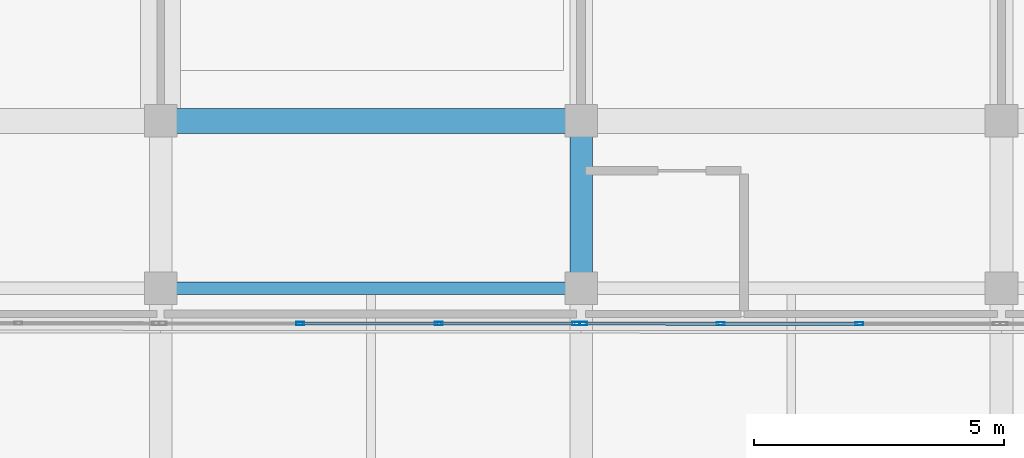
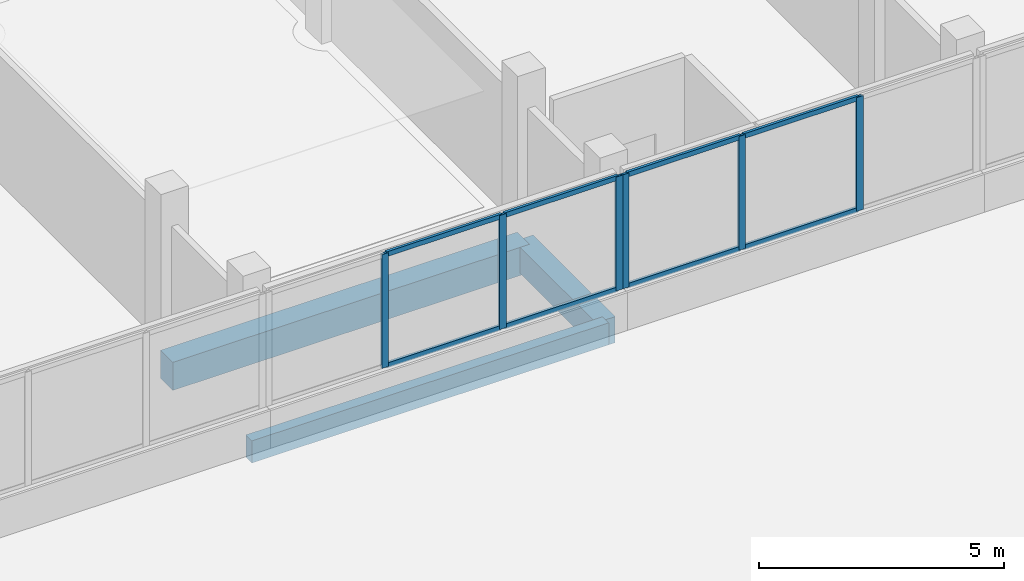
# One storey, part 20 of 78: 14 members, 3 beams, 2 elements without a shape of their own.
"""IFC4 building model written with IfcOpenShell, lengths in metres."""

import ifcopenshell
import ifcopenshell.guid

model = None  # the IFC model being written
_history = None  # IfcOwnerHistory: only IFC2X3 demands one
_inside = {}  # id of a spatial element -> (the spatial element, [elements in it])
_under = {}  # id of a project, library or spatial element -> (it, [spatial elements below it])
_declared = {}  # id of a project -> (the project, [libraries it declares])
_typed = {}  # id of a type object -> (the type object, [elements of that type])
_made_of = {}  # id of a material, layer set ... -> (it, [elements and type objects made of it])


def new_model(schema):
    """Start an empty IFC model of exactly this schema.

    Asked for "IFC4X3", IfcOpenShell would pick the latest addendum, in which some entities
    have other attributes; the version numbers below select the first issue.
    IFC2X3 requires an IfcOwnerHistory on every rooted entity: one is made here for all.
    """
    global model, _history
    if schema == "IFC4X3":
        model = ifcopenshell.file(schema_version=(4, 3, 0, 0))
    else:
        model = ifcopenshell.file(schema=schema)
    _inside.clear()
    _under.clear()
    _declared.clear()
    _typed.clear()
    _made_of.clear()
    _history = None
    if model.schema == "IFC2X3":
        org = make("IfcOrganization", Name="unknown")
        user = make(
            "IfcPersonAndOrganization",
            ThePerson=make("IfcPerson", FamilyName="unknown"),
            TheOrganization=org,
        )
        app = make(
            "IfcApplication",
            ApplicationDeveloper=org,
            Version="unknown",
            ApplicationFullName="unknown",
            ApplicationIdentifier="unknown",
        )
        _history = make(
            "IfcOwnerHistory",
            OwningUser=user,
            OwningApplication=app,
            ChangeAction="ADDED",
            CreationDate=0,
        )
    return model


def make(cls, **values):
    """One entity of the class cls with the attributes given. An attribute that is None is left unset."""
    return model.create_entity(
        cls, **{name: value for name, value in values.items() if value is not None}
    )


def rooted(cls, **values):
    """An entity with a GlobalId (a new one), such as an element, a storey or a relation."""
    return make(cls, GlobalId=ifcopenshell.guid.new(), OwnerHistory=_history, **values)


def si_unit(unit_type, name, prefix=None):
    """IfcSIUnit, for example si_unit("LENGTHUNIT", "METRE", prefix="MILLI")."""
    return make("IfcSIUnit", UnitType=unit_type, Prefix=prefix, Name=name)


def assignment(units):
    """IfcUnitAssignment: the units of a project."""
    return None if units is None else make("IfcUnitAssignment", Units=units)


def point(xyz):
    """IfcCartesianPoint."""
    return None if xyz is None else make("IfcCartesianPoint", Coordinates=xyz)


def direction(xyz):
    """IfcDirection."""
    return None if xyz is None else make("IfcDirection", DirectionRatios=xyz)


def frame(location, z_axis=None, x_axis=None):
    """IfcAxis2Placement3D, a coordinate frame: its origin and axes. An axis left out is left unset."""
    return make(
        "IfcAxis2Placement3D",
        Location=point(location),
        Axis=direction(z_axis),
        RefDirection=direction(x_axis),
    )


def frame_2d(location, x_axis=None):
    """IfcAxis2Placement2D, a coordinate frame in the plane: its origin and x axis."""
    return make(
        "IfcAxis2Placement2D", Location=point(location), RefDirection=direction(x_axis)
    )


def origin():
    """The frame at (0, 0, 0) with its axes left unset."""
    return frame((0.0, 0.0, 0.0))


def origin_2d():
    """The frame at (0, 0) in the plane with its x axis left unset."""
    return frame_2d((0.0, 0.0))


def place(relative_to, where):
    """IfcLocalPlacement: puts the frame where relative to a parent placement (None: the world)."""
    return make(
        "IfcLocalPlacement", PlacementRelTo=relative_to, RelativePlacement=where
    )


def context(
    kind, dimensions, precision=None, world=None, true_north=None, identifier=None
):
    """IfcGeometricRepresentationContext, for example the 3D "Model" context."""
    return make(
        "IfcGeometricRepresentationContext",
        ContextIdentifier=identifier,
        ContextType=kind,
        CoordinateSpaceDimension=dimensions,
        Precision=precision,
        WorldCoordinateSystem=world,
        TrueNorth=true_north,
    )


def subcontext(parent, identifier, kind, view, scale=None):
    """IfcGeometricRepresentationSubContext, for example "Body" below "Model"."""
    return make(
        "IfcGeometricRepresentationSubContext",
        ContextIdentifier=identifier,
        ContextType=kind,
        ParentContext=parent,
        TargetScale=scale,
        TargetView=view,
    )


def project(units=None, contexts=None):
    """IfcProject with its units and contexts."""
    return rooted(
        "IfcProject",
        Name="project",
        RepresentationContexts=contexts,
        UnitsInContext=assignment(units),
    )


def spatial(cls, under=None, at=None, **own):
    """A site, building, storey or space (cls), placed at a placement, below another one or the project."""
    s = rooted(cls, ObjectPlacement=at, **own)
    if under is not None:
        _under.setdefault(under.id(), (under, []))[1].append(s)
    return s


def profile(cls, at=None, kind="AREA", **sizes):
    """A parametric profile (cls). Its sizes go by their IFC names, for example OverallWidth=200.0."""
    return make(cls, ProfileType=kind, Position=at, **sizes)


def rectangle(**sizes):
    """IfcRectangleProfileDef."""
    return profile("IfcRectangleProfileDef", **sizes)


def hollow_rectangle(**sizes):
    """IfcRectangleHollowProfileDef."""
    return profile("IfcRectangleHollowProfileDef", **sizes)


def extrude(swept, where, along, depth):
    """IfcExtrudedAreaSolid: the profile swept, set in the frame where, extruded along a direction by depth."""
    return make(
        "IfcExtrudedAreaSolid",
        SweptArea=swept,
        Position=where,
        ExtrudedDirection=direction(along),
        Depth=depth,
    )


def shape(context_of_items, identifier, shape_type, items):
    """IfcShapeRepresentation: the items that make up one representation, for example the "Body"."""
    return make(
        "IfcShapeRepresentation",
        ContextOfItems=context_of_items,
        RepresentationIdentifier=identifier,
        RepresentationType=shape_type,
        Items=items,
    )


def material(Name=None, Category=None):
    """IfcMaterial."""
    return make("IfcMaterial", Name=Name, Category=Category)


def material_profile(
    of_material, cross_section, Name=None, Category=None, Priority=None
):
    """IfcMaterialProfile: a cross section and its material."""
    return make(
        "IfcMaterialProfile",
        Name=Name,
        Material=of_material,
        Profile=cross_section,
        Priority=Priority,
        Category=Category,
    )


def profile_set(profiles, Name=None, composite=None):
    """IfcMaterialProfileSet."""
    return make(
        "IfcMaterialProfileSet",
        Name=Name,
        MaterialProfiles=profiles,
        CompositeProfile=composite,
    )


def made_of(thing, what):
    """Note that an element or type object is made of a material, layer set ...; save() writes the relation."""
    if what is not None:
        _made_of.setdefault(what.id(), (what, []))[1].append(thing)
    return thing


def type_object(cls, material=None, **own):
    """A type object (cls), such as IfcWallType, which elements share."""
    return made_of(rooted(cls, **own), material)


def element(
    cls,
    number,
    at=None,
    inside=None,
    cuts=None,
    type_object=None,
    material=None,
    context=None,
    identifier="Body",
    shape_type=None,
    held_by="IfcProductDefinitionShape",
    body=None,
    shapes=None,
    **own,
):
    """One element of the class cls, such as IfcWall. Its Tag is "e" and its number.

    at: its placement. inside: the storey or other place that contains it. cuts: it is an
    opening in that element (IfcRelVoidsElement). A single representation is given by context,
    identifier, shape_type and body (its items); several are given by shapes. held_by: the class
    of the entity that holds the representations. save() writes the other relations.
    """
    e = rooted(cls, Tag="e%d" % number, ObjectPlacement=at, **own)
    if body is not None:
        shapes = [shape(context, identifier, shape_type, body)]
    if shapes is not None:
        e.Representation = make(held_by, Representations=shapes)
    if inside is not None:
        _inside.setdefault(inside.id(), (inside, []))[1].append(e)
    if cuts is not None:
        rooted(
            "IfcRelVoidsElement", RelatingBuildingElement=cuts, RelatedOpeningElement=e
        )
    if type_object is not None:
        _typed.setdefault(type_object.id(), (type_object, []))[1].append(e)
    return made_of(e, material)


def aggregate(whole, parts):
    """IfcRelAggregates: a whole, such as a stair, and the parts it consists of."""
    return rooted("IfcRelAggregates", RelatingObject=whole, RelatedObjects=parts)


def save(model, path):
    """Write the relations noted so far, then the file.

    IfcRelAggregates (storeys below a building ...), IfcRelContainedInSpatialStructure (elements
    in a storey), IfcRelDefinesByType, IfcRelAssociatesMaterial and IfcRelDeclares: one each for
    every whole, place, type object, material and project.
    """
    for whole, parts in _under.values():
        aggregate(whole, parts)
    for where, things in _inside.values():
        rooted(
            "IfcRelContainedInSpatialStructure",
            RelatedElements=things,
            RelatingStructure=where,
        )
    for kind, things in _typed.values():
        rooted("IfcRelDefinesByType", RelatedObjects=things, RelatingType=kind)
    for what, things in _made_of.values():
        rooted("IfcRelAssociatesMaterial", RelatedObjects=things, RelatingMaterial=what)
    for by, libraries in _declared.values():
        rooted("IfcRelDeclares", RelatingContext=by, RelatedDefinitions=libraries)
    model.write(path)


model = new_model("IFC4")

# Units and contexts
model_context = context("Model", 3, precision=1e-05, world=origin(), true_north=direction((0.0, 1.0)))
body_context = subcontext(model_context, "Body", "Model", "MODEL_VIEW")
ifc_project = project(units=[si_unit("LENGTHUNIT", "METRE"), si_unit("AREAUNIT", "SQUARE_METRE"), si_unit("VOLUMEUNIT", "CUBIC_METRE"), si_unit("PLANEANGLEUNIT", "RADIAN"), si_unit("MASSUNIT", "GRAM", prefix="KILO")], contexts=[model_context])

# Site, building, storey
site_placement = place(None, origin())
site = spatial("IfcSite", under=ifc_project, at=site_placement, CompositionType="ELEMENT")
building_placement = place(site_placement, origin())
building = spatial("IfcBuilding", under=site, at=building_placement, Name="Selatvlak General Hospital", CompositionType="ELEMENT")
storey_placement = place(building_placement, frame((0.0, 0.0, 23.25)))
storey = spatial("IfcBuildingStorey", under=building, at=storey_placement, Name="L05", CompositionType="ELEMENT", Elevation=23.25)

# Beams
ifc_material_1 = material(Name="Concrete C40/50", Category="concrete")
ifc_material_profile_1 = material_profile(ifc_material_1, rectangle(XDim=0.5, YDim=0.699951171875, at=origin_2d()), Name="RC-BM 500x700")
ifc_profile_set_1 = profile_set([ifc_material_profile_1], Name="Concrete C40/50")
beam_type_1 = type_object("IfcBeamType", Name="BM-G03", PredefinedType="BEAM", material=ifc_profile_set_1)
beam_1_placement = place(storey_placement, frame((123.60009765625, 92.0, -0.6298828125), z_axis=(1.0, 0.0, 0.0), x_axis=(0.0, 1.0, 0.0)))
element("IfcBeam", 1, at=beam_1_placement, inside=storey, type_object=beam_type_1, Name="Beam BMR-L05-1914", PredefinedType="BEAM", context=body_context, shape_type="SweptSolid", body=[
    extrude(rectangle(XDim=0.5, YDim=0.699951171875, at=origin_2d()), origin(), (0.0, 0.0, 1.0), 8.39990234375),
])
ifc_material_profile_2 = material_profile(ifc_material_1, rectangle(XDim=0.449951171875, YDim=0.64990234375, at=origin_2d()), Name="RC-BM 450x650")
ifc_profile_set_2 = profile_set([ifc_material_profile_2], Name="Concrete C40/50")
beam_type_2 = type_object("IfcBeamType", Name="BM-G04", PredefinedType="BEAM", material=ifc_profile_set_2)
beam_2_placement = place(storey_placement, frame((132.0, 88.64990234375, -0.60498046875), z_axis=(0.0, 1.0, 0.0), x_axis=(-1.0, 0.0, 0.0)))
element("IfcBeam", 2, at=beam_2_placement, inside=storey, type_object=beam_type_2, Name="Beam BMR-L05-2058", PredefinedType="BEAM", context=body_context, shape_type="SweptSolid", body=[
    extrude(rectangle(XDim=0.449951171875, YDim=0.64990234375, at=origin_2d()), origin(), (0.0, 0.0, 1.0), 3.35009765625),
])
ifc_material_profile_3 = material_profile(ifc_material_1, rectangle(XDim=0.25, YDim=0.550048828125, at=origin_2d()), Name="RC-SP 250x550")
ifc_profile_set_3 = profile_set([ifc_material_profile_3], Name="Concrete C40/50")
beam_type_3 = type_object("IfcBeamType", Name="BM-SP2", PredefinedType="SPANDREL", material=ifc_profile_set_3)
beam_3_placement = place(storey_placement, frame((123.60009765625, 88.64990234375, -0.554931640625), z_axis=(1.0, 0.0, 0.0), x_axis=(0.0, 1.0, 0.0)))
element("IfcBeam", 3, at=beam_3_placement, inside=storey, type_object=beam_type_3, Name="Beam BMR-L05-1894", PredefinedType="SPANDREL", context=body_context, shape_type="SweptSolid", body=[
    extrude(rectangle(XDim=0.25, YDim=0.550048828125, at=origin_2d()), origin(), (0.0, 0.0, 1.0), 8.39990234375),
])

# Curtain wall, members
ifc_material_2 = material(Name="Solar-control Low-E double glazing", Category="glass")
curtain_wall_type_1 = type_object("IfcCurtainWallType", Name="CW-CW-02", PredefinedType="USERDEFINED", material=ifc_material_2)
curtain_wall_1_placement = place(storey_placement, origin())
curtain_wall_1 = element("IfcCurtainWall", 4, at=curtain_wall_1_placement, inside=storey, type_object=curtain_wall_type_1, Name="Glazed facade curtain wall CW-L05-0580", ObjectType="UNITISED CURTAIN WALL", PredefinedType="USERDEFINED")
ifc_material_3 = material(Name="Dark anodised aluminium mullion", Category="aluminium")
ifc_material_profile_4 = material_profile(ifc_material_3, hollow_rectangle(XDim=0.06494140625, YDim=0.159912109375, WallThickness=0.00390625, at=origin_2d()), Name="AL-MUL 65x160x4")
ifc_profile_set_4 = profile_set([ifc_material_profile_4], Name="Dark anodised aluminium mullion")
member_type_1 = type_object("IfcMemberType", Name="CWM-01", PredefinedType="MULLION", material=ifc_profile_set_4)
member_1_placement = place(storey_placement, frame((137.561767578125, 87.9453125, 0.93994140625), z_axis=(0.0, 0.0, 1.0), x_axis=(-0.00048076918, -0.99999988443, 0.0)))
member_1 = element("IfcMember", 5, at=member_1_placement, type_object=member_type_1, Name="CW-02 mullion 2", PredefinedType="MULLION", context=body_context, shape_type="SweptSolid", body=[
    extrude(hollow_rectangle(XDim=0.06494140625, YDim=0.159912109375, WallThickness=0.00390625, at=origin_2d()), origin(), (0.0, 0.0, 1.0), 2.8349609375),
])
member_2_placement = place(storey_placement, frame((134.788330078125, 87.94677734375, 0.93994140625), z_axis=(0.0, 0.0, 1.0), x_axis=(-0.00048076918, -0.99999988443, 0.0)))
member_2 = element("IfcMember", 6, at=member_2_placement, type_object=member_type_1, Name="CW-02 mullion 3", PredefinedType="MULLION", context=body_context, shape_type="SweptSolid", body=[
    extrude(hollow_rectangle(XDim=0.06494140625, YDim=0.159912109375, WallThickness=0.00390625, at=origin_2d()), origin(), (0.0, 0.0, 1.0), 2.8349609375),
])
member_3_placement = place(storey_placement, frame((132.047607421875, 87.947998046875, 0.93994140625), z_axis=(0.0, 0.0, 1.0), x_axis=(-0.00048076918, -0.99999988443, 0.0)))
member_3 = element("IfcMember", 7, at=member_3_placement, type_object=member_type_1, Name="CW-02 mullion 4", PredefinedType="MULLION", context=body_context, shape_type="SweptSolid", body=[
    extrude(hollow_rectangle(XDim=0.06494140625, YDim=0.159912109375, WallThickness=0.00390625, at=origin_2d()), origin(), (0.0, 0.0, 1.0), 2.8349609375),
])

curtain_wall_type_2 = type_object("IfcCurtainWallType", Name="CW-CW-01", PredefinedType="USERDEFINED", material=ifc_material_2)
curtain_wall_2_placement = place(storey_placement, origin())
curtain_wall_2 = element("IfcCurtainWall", 8, at=curtain_wall_2_placement, inside=storey, type_object=curtain_wall_type_2, Name="Glazed facade curtain wall CW-L05-0581", ObjectType="UNITISED CURTAIN WALL", PredefinedType="USERDEFINED")
member_4_placement = place(storey_placement, frame((131.902587890625, 87.947998046875, 0.93994140625), z_axis=(0.0, 0.0, 1.0), x_axis=(-0.00048076918, -0.99999988443, 0.0)))
member_4 = element("IfcMember", 9, at=member_4_placement, type_object=member_type_1, Name="CW-01 mullion 1", PredefinedType="MULLION", context=body_context, shape_type="SweptSolid", body=[
    extrude(hollow_rectangle(XDim=0.06494140625, YDim=0.159912109375, WallThickness=0.00390625, at=origin_2d()), origin(), (0.0, 0.0, 1.0), 2.8349609375),
])
member_5_placement = place(storey_placement, frame((129.16162109375, 87.94921875, 0.93994140625), z_axis=(0.0, 0.0, 1.0), x_axis=(-0.00048076918, -0.99999988443, 0.0)))
member_5 = element("IfcMember", 10, at=member_5_placement, type_object=member_type_1, Name="CW-01 mullion 2", PredefinedType="MULLION", context=body_context, shape_type="SweptSolid", body=[
    extrude(hollow_rectangle(XDim=0.06494140625, YDim=0.159912109375, WallThickness=0.00390625, at=origin_2d()), origin(), (0.0, 0.0, 1.0), 2.8349609375),
])
member_6_placement = place(storey_placement, frame((126.388427734375, 87.95068359375, 0.93994140625), z_axis=(0.0, 0.0, 1.0), x_axis=(-0.00048076918, -0.99999988443, 0.0)))
member_6 = element("IfcMember", 11, at=member_6_placement, type_object=member_type_1, Name="CW-01 mullion 3", PredefinedType="MULLION", context=body_context, shape_type="SweptSolid", body=[
    extrude(hollow_rectangle(XDim=0.06494140625, YDim=0.159912109375, WallThickness=0.00390625, at=origin_2d()), origin(), (0.0, 0.0, 1.0), 2.8349609375),
])

# Member
ifc_material_profile_5 = material_profile(ifc_material_3, hollow_rectangle(XDim=0.06494140625, YDim=0.1201171875, WallThickness=0.00390625, at=origin_2d()), Name="AL-TRN 65x120x4")
ifc_profile_set_5 = profile_set([ifc_material_profile_5], Name="Dark anodised aluminium mullion")
member_type_2 = type_object("IfcMemberType", Name="CWT-01", PredefinedType="USERDEFINED", material=ifc_profile_set_5)
member_7_placement = place(storey_placement, frame((137.529052734375, 87.9453125, 0.972412109375), z_axis=(-0.999999898419, 0.000450734652, 0.0), x_axis=(-0.000450734652, -0.999999898419, 0.0)))
member_7 = element("IfcMember", 12, at=member_7_placement, type_object=member_type_2, Name="CW-02 transom 2.1", ObjectType="TRANSOM", PredefinedType="USERDEFINED", context=body_context, shape_type="SweptSolid", body=[
    extrude(hollow_rectangle(XDim=0.06494140625, YDim=0.1201171875, WallThickness=0.00390625, at=origin_2d()), origin(), (0.0, 0.0, 1.0), 2.708251953125),
])

member_8_placement = place(storey_placement, frame((137.529052734375, 87.9453125, 3.742431640625), z_axis=(-0.999999898419, 0.000450734652, 0.0), x_axis=(-0.000450734652, -0.999999898419, 0.0)))
member_8 = element("IfcMember", 13, at=member_8_placement, type_object=member_type_2, Name="CW-02 transom 2.2", ObjectType="TRANSOM", PredefinedType="USERDEFINED", context=body_context, shape_type="SweptSolid", body=[
    extrude(hollow_rectangle(XDim=0.06494140625, YDim=0.1201171875, WallThickness=0.00390625, at=origin_2d()), origin(), (0.0, 0.0, 1.0), 2.708251953125),
])

member_9_placement = place(storey_placement, frame((134.755859375, 87.94677734375, 0.972412109375), z_axis=(-0.999999895939, 0.000456204332, 0.0), x_axis=(-0.000456204332, -0.999999895939, 0.0)))
member_9 = element("IfcMember", 14, at=member_9_placement, type_object=member_type_2, Name="CW-02 transom 3.1", ObjectType="TRANSOM", PredefinedType="USERDEFINED", context=body_context, shape_type="SweptSolid", body=[
    extrude(hollow_rectangle(XDim=0.06494140625, YDim=0.1201171875, WallThickness=0.00390625, at=origin_2d()), origin(), (0.0, 0.0, 1.0), 2.67578125),
])

member_10_placement = place(storey_placement, frame((134.755859375, 87.94677734375, 3.742431640625), z_axis=(-0.999999895939, 0.000456204332, 0.0), x_axis=(-0.000456204332, -0.999999895939, 0.0)))
member_10 = element("IfcMember", 15, at=member_10_placement, type_object=member_type_2, Name="CW-02 transom 3.2", ObjectType="TRANSOM", PredefinedType="USERDEFINED", context=body_context, shape_type="SweptSolid", body=[
    extrude(hollow_rectangle(XDim=0.06494140625, YDim=0.1201171875, WallThickness=0.00390625, at=origin_2d()), origin(), (0.0, 0.0, 1.0), 2.67578125),
])

aggregate(curtain_wall_1, [member_1, member_2, member_3, member_7, member_8, member_9, member_10])

member_11_placement = place(storey_placement, frame((131.8701171875, 87.947998046875, 0.972412109375), z_axis=(-0.999999895958, 0.000456162711, 0.0), x_axis=(-0.000456162711, -0.999999895958, 0.0)))
member_11 = element("IfcMember", 16, at=member_11_placement, type_object=member_type_2, Name="CW-01 transom 1.1", ObjectType="TRANSOM", PredefinedType="USERDEFINED", context=body_context, shape_type="SweptSolid", body=[
    extrude(hollow_rectangle(XDim=0.06494140625, YDim=0.1201171875, WallThickness=0.00390625, at=origin_2d()), origin(), (0.0, 0.0, 1.0), 2.676025390625),
])

member_12_placement = place(storey_placement, frame((131.8701171875, 87.947998046875, 3.742431640625), z_axis=(-0.999999895958, 0.000456162711, 0.0), x_axis=(-0.000456162711, -0.999999895958, 0.0)))
member_12 = element("IfcMember", 17, at=member_12_placement, type_object=member_type_2, Name="CW-01 transom 1.2", ObjectType="TRANSOM", PredefinedType="USERDEFINED", context=body_context, shape_type="SweptSolid", body=[
    extrude(hollow_rectangle(XDim=0.06494140625, YDim=0.1201171875, WallThickness=0.00390625, at=origin_2d()), origin(), (0.0, 0.0, 1.0), 2.676025390625),
])

member_13_placement = place(storey_placement, frame((129.129150390625, 87.949462890625, 0.972412109375), z_axis=(-0.999999898419, 0.000450734652, 0.0), x_axis=(-0.000450734652, -0.999999898419, 0.0)))
member_13 = element("IfcMember", 18, at=member_13_placement, type_object=member_type_2, Name="CW-01 transom 2.1", ObjectType="TRANSOM", PredefinedType="USERDEFINED", context=body_context, shape_type="SweptSolid", body=[
    extrude(hollow_rectangle(XDim=0.06494140625, YDim=0.1201171875, WallThickness=0.00390625, at=origin_2d()), origin(), (0.0, 0.0, 1.0), 2.708251953125),
])

member_14_placement = place(storey_placement, frame((129.129150390625, 87.949462890625, 3.742431640625), z_axis=(-0.999999898419, 0.000450734652, 0.0), x_axis=(-0.000450734652, -0.999999898419, 0.0)))
member_14 = element("IfcMember", 19, at=member_14_placement, type_object=member_type_2, Name="CW-01 transom 2.2", ObjectType="TRANSOM", PredefinedType="USERDEFINED", context=body_context, shape_type="SweptSolid", body=[
    extrude(hollow_rectangle(XDim=0.06494140625, YDim=0.1201171875, WallThickness=0.00390625, at=origin_2d()), origin(), (0.0, 0.0, 1.0), 2.708251953125),
])

aggregate(curtain_wall_2, [member_4, member_5, member_6, member_11, member_12, member_13, member_14])

save(model, "model.ifc")
